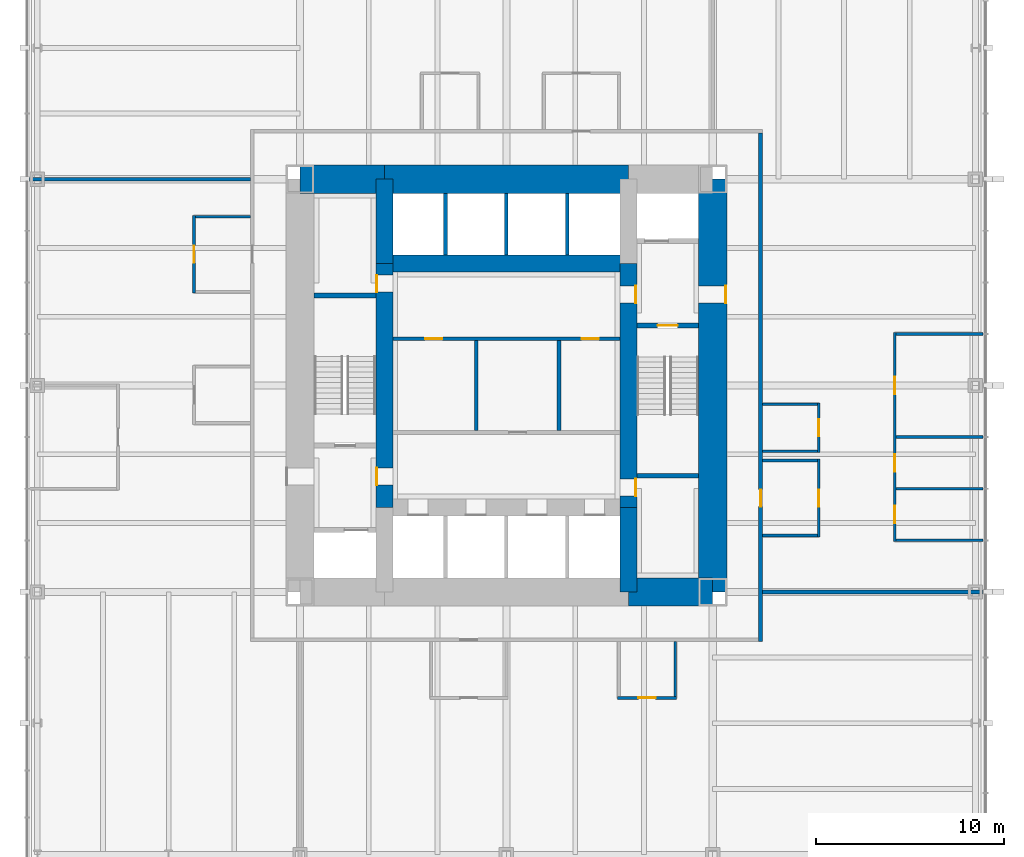
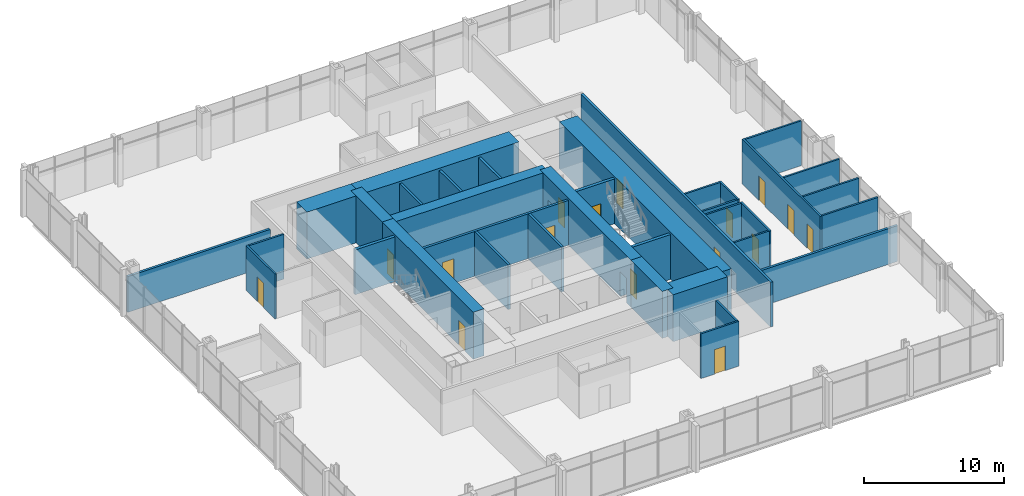
# One storey, part 10 of 12: 36 walls, 16 doors, 16 openings.
"""IFC4 building model written with IfcOpenShell, lengths in metres."""

from ifc_helpers import new_model, si_unit, direction, frame, frame_2d, origin, place, context, subcontext, project, spatial, rectangle, extrude, material, layer, layer_set, type_object, element, fill, save


model = new_model("IFC4")

# Units and contexts
model_context = context("Model", 3, precision=1e-05, world=origin(), true_north=direction((0.0, 1.0)))
body_context = subcontext(model_context, "Body", "Model", "MODEL_VIEW")
ifc_project = project(units=[si_unit("LENGTHUNIT", "METRE"), si_unit("AREAUNIT", "SQUARE_METRE"), si_unit("VOLUMEUNIT", "CUBIC_METRE"), si_unit("PLANEANGLEUNIT", "RADIAN"), si_unit("MASSUNIT", "GRAM", prefix="KILO")], contexts=[model_context])

# Site, building, storey
site_placement = place(None, origin())
site = spatial("IfcSite", under=ifc_project, at=site_placement, CompositionType="ELEMENT")
building_placement = place(site_placement, origin())
building = spatial("IfcBuilding", under=site, at=building_placement, Name="Trevanion Tower", CompositionType="ELEMENT")
storey_placement = place(building_placement, frame((0.0, 0.0, 20.10009765625)))
storey = spatial("IfcBuildingStorey", under=building, at=storey_placement, Name="L04", CompositionType="ELEMENT", Elevation=20.10009765625)

# Wall, opening, door
ifc_material_1 = material(Name="Concrete 10,000 psi", Category="concrete")
ifc_layer_1 = layer(ifc_material_1, 1.5)
ifc_layer_set_1 = layer_set([ifc_layer_1], Name="CW1 core wall 1500")
wall_type_1 = type_object("IfcWallType", Name="CW1 core wall 1500", PredefinedType="SHEAR", material=ifc_layer_set_1)
wall_1_placement = place(storey_placement, frame((11.0, -11.0, 0.0), z_axis=(0.0, 0.0, 1.0), x_axis=(0.0, 1.0, 0.0)))
wall_1 = element("IfcWall", 1, at=wall_1_placement, inside=storey, type_object=wall_type_1, Name="CW1 CE L04", PredefinedType="SHEAR", context=body_context, shape_type="SweptSolid", body=[
    extrude(rectangle(XDim=22.0, YDim=1.5, at=frame_2d((11.0, 0.0))), origin(), (0.0, 0.0, 1.0), 4.099853515625),
])
opening_1_placement = place(wall_1_placement, frame((15.392578125, 0.0, 0.0)))
opening_1 = element("IfcOpeningElement", 2, at=opening_1_placement, cuts=wall_1, Name="Opening 04-001", PredefinedType="OPENING", context=body_context, shape_type="SweptSolid", body=[
    extrude(rectangle(XDim=0.9150390625, YDim=2.134033203125, at=frame_2d((0.45751953125, 1.06689453125))), frame((0.0, 0.760009765625, 0.0), z_axis=(0.0, -1.0, 0.0), x_axis=(1.0, 0.0, 0.0)), (0.0, 0.0, 1.0), 1.52001953125),
])
ifc_material_2 = material(Name="Hollow metal, fire rated", Category="steel")
door_type_1 = type_object("IfcDoorType", Name="D3 fire lift lobby door", OperationType="SINGLE_SWING_RIGHT", PredefinedType="DOOR", material=ifc_material_2)
door_1_placement = place(opening_1_placement, origin())
door_1 = element("IfcDoor", 3, at=door_1_placement, inside=storey, type_object=door_type_1, Name="Door 04-001", OperationType="SINGLE_SWING_RIGHT", OverallHeight=2.134033203125, OverallWidth=0.9150390625, PredefinedType="DOOR", context=body_context, shape_type="SweptSolid", body=[
    extrude(rectangle(XDim=0.9150390625, YDim=2.134033203125, at=frame_2d((0.45751953125, 1.06689453125))), frame((0.0, -0.6748046875, 0.0), z_axis=(0.0, -1.0, 0.0), x_axis=(1.0, 0.0, 0.0)), (0.0, 0.0, 1.0), 0.050048828125),
])
fill(opening_1, door_1)

# Walls
wall_2_placement = place(storey_placement, frame((6.5, 11.0, 0.0), z_axis=(0.0, 0.0, 1.0), x_axis=(-1.0, 0.0, 0.0)))
element("IfcWall", 4, at=wall_2_placement, inside=storey, type_object=wall_type_1, Name="CW1 CN2 L04", PredefinedType="SHEAR", context=body_context, shape_type="SweptSolid", body=[
    extrude(rectangle(XDim=13.0, YDim=1.5, at=frame_2d((6.5, 0.0))), origin(), (0.0, 0.0, 1.0), 4.099853515625),
])
for number, where, z_axis, x_axis, name in (
    (5, (-6.5, 11.0, 0.0), (0.0, 0.0, 1.0), (-1.0, 0.0, 0.0), "CW1 CN3 L04"),
    (6, (6.5, -11.0, 0.0), (0.0, 0.0, 1.0), (1.0, 0.0, 0.0), "CW1 CS3 L04"),
):
    element("IfcWall", number, at=place(storey_placement, frame(where, z_axis=z_axis, x_axis=x_axis)), inside=storey, type_object=wall_type_1, Name=name, PredefinedType="SHEAR", context=body_context, shape_type="SweptSolid", body=[
        extrude(rectangle(XDim=4.5, YDim=1.5, at=frame_2d((2.25, 0.0))), origin(), (0.0, 0.0, 1.0), 4.099853515625),
    ])
ifc_material_3 = material(Name="Concrete 10,000 psi", Category="concrete")
ifc_layer_2 = layer(ifc_material_3, 0.89990234375)
ifc_layer_set_2 = layer_set([ifc_layer_2], Name="CW2 core wall 900")
wall_type_2 = type_object("IfcWallType", Name="CW2 core wall 900", PredefinedType="SHEAR", material=ifc_layer_set_2)
wall_3_placement = place(storey_placement, frame((6.5, -11.0, 0.0), z_axis=(0.0, 0.0, 1.0), x_axis=(0.0, 1.0, 0.0)))
element("IfcWall", 7, at=wall_3_placement, inside=storey, type_object=wall_type_2, Name="CW2 RE1 L04", PredefinedType="SHEAR", context=body_context, shape_type="SweptSolid", body=[
    extrude(rectangle(XDim=4.5, YDim=0.89990234375, at=frame_2d((2.25, 0.0))), origin(), (0.0, 0.0, 1.0), 4.099853515625),
])

# Wall, openings, doors
wall_4_placement = place(storey_placement, frame((6.5, -6.5, 0.0), z_axis=(0.0, 0.0, 1.0), x_axis=(0.0, 1.0, 0.0)))
wall_4 = element("IfcWall", 8, at=wall_4_placement, inside=storey, type_object=wall_type_2, Name="CW2 RE2 L04", PredefinedType="SHEAR", context=body_context, shape_type="SweptSolid", body=[
    extrude(rectangle(XDim=13.0, YDim=0.89990234375, at=frame_2d((6.5, 0.0))), origin(), (0.0, 0.0, 1.0), 4.099853515625),
])
opening_2_placement = place(wall_4_placement, frame((10.892578125, 0.0, 0.0)))
opening_2 = element("IfcOpeningElement", 9, at=opening_2_placement, cuts=wall_4, Name="Opening 04-003", PredefinedType="OPENING", context=body_context, shape_type="SweptSolid", body=[
    extrude(rectangle(XDim=0.9150390625, YDim=2.134033203125, at=frame_2d((0.45751953125, 1.06689453125))), frame((0.0, 0.4599609375, 0.0), z_axis=(0.0, -1.0, 0.0), x_axis=(1.0, 0.0, 0.0)), (0.0, 0.0, 1.0), 0.919921875),
])
opening_3_placement = place(wall_4_placement, frame((0.610107421875, 0.0, 0.0)))
opening_3 = element("IfcOpeningElement", 10, at=opening_3_placement, cuts=wall_4, Name="Opening 04-009", PredefinedType="OPENING", context=body_context, shape_type="SweptSolid", body=[
    extrude(rectangle(XDim=0.9150390625, YDim=2.134033203125, at=frame_2d((0.45751953125, 1.06689453125))), frame((0.0, 0.4599609375, 0.0), z_axis=(0.0, -1.0, 0.0), x_axis=(1.0, 0.0, 0.0)), (0.0, 0.0, 1.0), 0.919921875),
])
door_2_placement = place(opening_2_placement, origin())
door_2 = element("IfcDoor", 11, at=door_2_placement, inside=storey, type_object=door_type_1, Name="Door 04-003", OperationType="SINGLE_SWING_RIGHT", OverallHeight=2.134033203125, OverallWidth=0.9150390625, PredefinedType="DOOR", context=body_context, shape_type="SweptSolid", body=[
    extrude(rectangle(XDim=0.9150390625, YDim=2.134033203125, at=frame_2d((0.45751953125, 1.06689453125))), frame((0.0, -0.375, 0.0), z_axis=(0.0, -1.0, 0.0), x_axis=(1.0, 0.0, 0.0)), (0.0, 0.0, 1.0), 0.050048828125),
])
fill(opening_2, door_2)
ifc_material_4 = material(Name="Hollow metal, fire rated", Category="steel")
door_type_2 = type_object("IfcDoorType", Name="D5 service room door", OperationType="SINGLE_SWING_RIGHT", PredefinedType="DOOR", material=ifc_material_4)
door_3_placement = place(opening_3_placement, origin())
door_3 = element("IfcDoor", 12, at=door_3_placement, inside=storey, type_object=door_type_2, Name="Door 04-009", OperationType="SINGLE_SWING_RIGHT", OverallHeight=2.134033203125, OverallWidth=0.9150390625, PredefinedType="DOOR", context=body_context, shape_type="SweptSolid", body=[
    extrude(rectangle(XDim=0.9150390625, YDim=2.134033203125, at=frame_2d((0.45751953125, 1.06689453125))), frame((0.0, -0.375, 0.0), z_axis=(0.0, -1.0, 0.0), x_axis=(1.0, 0.0, 0.0)), (0.0, 0.0, 1.0), 0.050048828125),
])
fill(opening_3, door_3)

# Wall
wall_5_placement = place(storey_placement, frame((-6.5, 11.0, 0.0), z_axis=(0.0, 0.0, 1.0), x_axis=(0.0, -1.0, 0.0)))
element("IfcWall", 13, at=wall_5_placement, inside=storey, type_object=wall_type_2, Name="CW2 RW1 L04", PredefinedType="SHEAR", context=body_context, shape_type="SweptSolid", body=[
    extrude(rectangle(XDim=4.5, YDim=0.89990234375, at=frame_2d((2.25, 0.0))), origin(), (0.0, 0.0, 1.0), 4.099853515625),
])

# Wall, openings, doors
wall_6_placement = place(storey_placement, frame((-6.5, 6.5, 0.0), z_axis=(0.0, 0.0, 1.0), x_axis=(0.0, -1.0, 0.0)))
wall_6 = element("IfcWall", 14, at=wall_6_placement, inside=storey, type_object=wall_type_2, Name="CW2 RW2 L04", PredefinedType="SHEAR", context=body_context, shape_type="SweptSolid", body=[
    extrude(rectangle(XDim=13.0, YDim=0.89990234375, at=frame_2d((6.5, 0.0))), origin(), (0.0, 0.0, 1.0), 4.099853515625),
])
opening_4_placement = place(wall_6_placement, frame((10.892578125, 0.0, 0.0)))
opening_4 = element("IfcOpeningElement", 15, at=opening_4_placement, cuts=wall_6, Name="Opening 04-004", PredefinedType="OPENING", context=body_context, shape_type="SweptSolid", body=[
    extrude(rectangle(XDim=0.9150390625, YDim=2.134033203125, at=frame_2d((0.45751953125, 1.06689453125))), frame((0.0, 0.4599609375, 0.0), z_axis=(0.0, -1.0, 0.0), x_axis=(1.0, 0.0, 0.0)), (0.0, 0.0, 1.0), 0.919921875),
])
opening_5_placement = place(wall_6_placement, frame((0.610107421875, 0.0, 0.0)))
opening_5 = element("IfcOpeningElement", 16, at=opening_5_placement, cuts=wall_6, Name="Opening 04-010", PredefinedType="OPENING", context=body_context, shape_type="SweptSolid", body=[
    extrude(rectangle(XDim=0.9150390625, YDim=2.134033203125, at=frame_2d((0.45751953125, 1.06689453125))), frame((0.0, 0.4599609375, 0.0), z_axis=(0.0, -1.0, 0.0), x_axis=(1.0, 0.0, 0.0)), (0.0, 0.0, 1.0), 0.919921875),
])
door_4_placement = place(opening_4_placement, origin())
door_4 = element("IfcDoor", 17, at=door_4_placement, inside=storey, type_object=door_type_1, Name="Door 04-004", OperationType="SINGLE_SWING_RIGHT", OverallHeight=2.134033203125, OverallWidth=0.9150390625, PredefinedType="DOOR", context=body_context, shape_type="SweptSolid", body=[
    extrude(rectangle(XDim=0.9150390625, YDim=2.134033203125, at=frame_2d((0.45751953125, 1.06689453125))), frame((0.0, -0.375, 0.0), z_axis=(0.0, -1.0, 0.0), x_axis=(1.0, 0.0, 0.0)), (0.0, 0.0, 1.0), 0.050048828125),
])
fill(opening_4, door_4)
door_5_placement = place(opening_5_placement, origin())
door_5 = element("IfcDoor", 18, at=door_5_placement, inside=storey, type_object=door_type_2, Name="Door 04-010", OperationType="SINGLE_SWING_RIGHT", OverallHeight=2.134033203125, OverallWidth=0.9150390625, PredefinedType="DOOR", context=body_context, shape_type="SweptSolid", body=[
    extrude(rectangle(XDim=0.9150390625, YDim=2.134033203125, at=frame_2d((0.45751953125, 1.06689453125))), frame((0.0, -0.375, 0.0), z_axis=(0.0, -1.0, 0.0), x_axis=(1.0, 0.0, 0.0)), (0.0, 0.0, 1.0), 0.050048828125),
])
fill(opening_5, door_5)

# Wall
wall_7_placement = place(storey_placement, frame((6.5, 6.5, 0.0), z_axis=(0.0, 0.0, 1.0), x_axis=(-1.0, 0.0, 0.0)))
element("IfcWall", 19, at=wall_7_placement, inside=storey, type_object=wall_type_2, Name="CW2 RN L04", PredefinedType="SHEAR", context=body_context, shape_type="SweptSolid", body=[
    extrude(rectangle(XDim=13.0, YDim=0.89990234375, at=frame_2d((6.5, 0.0))), origin(), (0.0, 0.0, 1.0), 4.099853515625),
])

# Wall, openings, doors
ifc_material_5 = material(Name="Gypsum board on steel studs", Category="steel")
ifc_layer_3 = layer(ifc_material_5, 0.14990234375)
ifc_layer_set_3 = layer_set([ifc_layer_3], Name="PT1 partition 150")
wall_type_3 = type_object("IfcWallType", Name="PT1 partition 150", PredefinedType="PARTITIONING", material=ifc_layer_set_3)
wall_8_placement = place(storey_placement, frame((20.699951171875, -8.324951171875, 0.0), z_axis=(0.0, 0.0, 1.0), x_axis=(0.0, 1.0, 0.0)))
wall_8 = element("IfcWall", 20, at=wall_8_placement, inside=storey, type_object=wall_type_3, Name="PT1 L04 FC0F", PredefinedType="PARTITIONING", context=body_context, shape_type="SweptSolid", body=[
    extrude(rectangle(XDim=11.14990234375, YDim=0.14990234375, at=frame_2d((5.574951171875, 0.0))), origin(), (0.0, 0.0, 1.0), 3.909912109375),
])
opening_6_placement = place(wall_8_placement, frame((0.992431640625, 0.0, 0.0)))
opening_6 = element("IfcOpeningElement", 21, at=opening_6_placement, cuts=wall_8, Name="Opening 04-018", PredefinedType="OPENING", context=body_context, shape_type="SweptSolid", body=[
    extrude(rectangle(XDim=0.9150390625, YDim=2.134033203125, at=frame_2d((0.45751953125, 1.06689453125))), frame((0.0, 0.0849609375, 0.0), z_axis=(0.0, -1.0, 0.0), x_axis=(1.0, 0.0, 0.0)), (0.0, 0.0, 1.0), 0.169921875),
])
opening_7_placement = place(wall_8_placement, frame((3.742431640625, 0.0, 0.0)))
opening_7 = element("IfcOpeningElement", 22, at=opening_7_placement, cuts=wall_8, Name="Opening 04-019", PredefinedType="OPENING", context=body_context, shape_type="SweptSolid", body=[
    extrude(rectangle(XDim=0.9150390625, YDim=2.134033203125, at=frame_2d((0.45751953125, 1.06689453125))), frame((0.0, 0.0849609375, 0.0), z_axis=(0.0, -1.0, 0.0), x_axis=(1.0, 0.0, 0.0)), (0.0, 0.0, 1.0), 0.169921875),
])
opening_8_placement = place(wall_8_placement, frame((7.867431640625, 0.0, 0.0)))
opening_8 = element("IfcOpeningElement", 23, at=opening_8_placement, cuts=wall_8, Name="Opening 04-020", PredefinedType="OPENING", context=body_context, shape_type="SweptSolid", body=[
    extrude(rectangle(XDim=0.9150390625, YDim=2.134033203125, at=frame_2d((0.45751953125, 1.06689453125))), frame((0.0, 0.0849609375, 0.0), z_axis=(0.0, -1.0, 0.0), x_axis=(1.0, 0.0, 0.0)), (0.0, 0.0, 1.0), 0.169921875),
])
ifc_material_6 = material(Name="Timber veneer, solid core", Category="wood")
door_type_3 = type_object("IfcDoorType", Name="D1 office and meeting room door", OperationType="SINGLE_SWING_LEFT", PredefinedType="DOOR", material=ifc_material_6)
door_6_placement = place(opening_6_placement, origin())
door_6 = element("IfcDoor", 24, at=door_6_placement, inside=storey, type_object=door_type_3, Name="Door 04-018", OperationType="SINGLE_SWING_LEFT", OverallHeight=2.134033203125, OverallWidth=0.9150390625, PredefinedType="DOOR", context=body_context, shape_type="SweptSolid", body=[
    extrude(rectangle(XDim=0.9150390625, YDim=2.134033203125, at=frame_2d((0.45751953125, 1.06689453125))), frame((0.0, 0.02490234375, 0.0), z_axis=(0.0, -1.0, 0.0), x_axis=(1.0, 0.0, 0.0)), (0.0, 0.0, 1.0), 0.050048828125),
])
fill(opening_6, door_6)
door_7_placement = place(opening_7_placement, origin())
door_7 = element("IfcDoor", 25, at=door_7_placement, inside=storey, type_object=door_type_3, Name="Door 04-019", OperationType="SINGLE_SWING_LEFT", OverallHeight=2.134033203125, OverallWidth=0.9150390625, PredefinedType="DOOR", context=body_context, shape_type="SweptSolid", body=[
    extrude(rectangle(XDim=0.9150390625, YDim=2.134033203125, at=frame_2d((0.45751953125, 1.06689453125))), frame((0.0, 0.02490234375, 0.0), z_axis=(0.0, -1.0, 0.0), x_axis=(1.0, 0.0, 0.0)), (0.0, 0.0, 1.0), 0.050048828125),
])
fill(opening_7, door_7)
door_8_placement = place(opening_8_placement, origin())
door_8 = element("IfcDoor", 26, at=door_8_placement, inside=storey, type_object=door_type_3, Name="Door 04-020", OperationType="SINGLE_SWING_LEFT", OverallHeight=2.134033203125, OverallWidth=0.9150390625, PredefinedType="DOOR", context=body_context, shape_type="SweptSolid", body=[
    extrude(rectangle(XDim=0.9150390625, YDim=2.134033203125, at=frame_2d((0.45751953125, 1.06689453125))), frame((0.0, 0.02490234375, 0.0), z_axis=(0.0, -1.0, 0.0), x_axis=(1.0, 0.0, 0.0)), (0.0, 0.0, 1.0), 0.050048828125),
])
fill(opening_8, door_8)

# Walls
for number, where, z_axis, x_axis, name in (
    (27, (20.77490234375, -8.25, 0.0), (0.0, 0.0, 1.0), (1.0, 0.0, 0.0), "PT1 L04 FC0S0"),
    (28, (20.77490234375, -5.5, 0.0), (0.0, 0.0, 1.0), (1.0, 0.0, 0.0), "PT1 L04 FC0S1"),
    (29, (20.77490234375, -2.75, 0.0), (0.0, 0.0, 1.0), (1.0, 0.0, 0.0), "PT1 L04 FC0S2"),
    (30, (20.77490234375, 2.75, 0.0), (0.0, 0.0, 1.0), (1.0, 0.0, 0.0), "PT1 L04 FC0S4"),
):
    element("IfcWall", number, at=place(storey_placement, frame(where, z_axis=z_axis, x_axis=x_axis)), inside=storey, type_object=wall_type_3, Name=name, PredefinedType="PARTITIONING", context=body_context, shape_type="SweptSolid", body=[
        extrude(rectangle(XDim=4.64013671875, YDim=0.14990234375, at=frame_2d((2.320068359375, 0.0))), origin(), (0.0, 0.0, 1.0), 3.909912109375),
    ])

# Wall, opening, door
wall_9_placement = place(storey_placement, frame((16.64990234375, -8.074951171875, 0.0), z_axis=(0.0, 0.0, 1.0), x_axis=(0.0, 1.0, 0.0)))
wall_9 = element("IfcWall", 31, at=wall_9_placement, inside=storey, type_object=wall_type_3, Name="PT1 L04 IN00F", PredefinedType="PARTITIONING", context=body_context, shape_type="SweptSolid", body=[
    extrude(rectangle(XDim=4.14990234375, YDim=0.14990234375, at=frame_2d((2.074951171875, 0.0))), origin(), (0.0, 0.0, 1.0), 3.909912109375),
])
opening_9_placement = place(wall_9_placement, frame((1.617431640625, 0.0, 0.0)))
opening_9 = element("IfcOpeningElement", 32, at=opening_9_placement, cuts=wall_9, Name="Opening 04-024", PredefinedType="OPENING", context=body_context, shape_type="SweptSolid", body=[
    extrude(rectangle(XDim=0.9150390625, YDim=2.134033203125, at=frame_2d((0.45751953125, 1.06689453125))), frame((0.0, 0.0849609375, 0.0), z_axis=(0.0, -1.0, 0.0), x_axis=(1.0, 0.0, 0.0)), (0.0, 0.0, 1.0), 0.169921875),
])
door_9_placement = place(opening_9_placement, origin())
door_9 = element("IfcDoor", 33, at=door_9_placement, inside=storey, type_object=door_type_3, Name="Door 04-024", OperationType="SINGLE_SWING_LEFT", OverallHeight=2.134033203125, OverallWidth=0.9150390625, PredefinedType="DOOR", context=body_context, shape_type="SweptSolid", body=[
    extrude(rectangle(XDim=0.9150390625, YDim=2.134033203125, at=frame_2d((0.45751953125, 1.06689453125))), frame((0.0, 0.02490234375, 0.0), z_axis=(0.0, -1.0, 0.0), x_axis=(1.0, 0.0, 0.0)), (0.0, 0.0, 1.0), 0.050048828125),
])
fill(opening_9, door_9)

# Walls
for number, where, z_axis, x_axis, name in (
    (34, (16.574951171875, -8.0, 0.0), (0.0, 0.0, 1.0), (-1.0, 0.0, 0.0), "PT1 L04 IN00S0"),
    (35, (16.574951171875, -4.0, 0.0), (0.0, 0.0, 1.0), (-1.0, 0.0, 0.0), "PT1 L04 IN00S1"),
):
    element("IfcWall", number, at=place(storey_placement, frame(where, z_axis=z_axis, x_axis=x_axis)), inside=storey, type_object=wall_type_3, Name=name, PredefinedType="PARTITIONING", context=body_context, shape_type="SweptSolid", body=[
        extrude(rectangle(XDim=2.925048828125, YDim=0.14990234375, at=frame_2d((1.46240234375, 0.0))), origin(), (0.0, 0.0, 1.0), 3.909912109375),
    ])

# Wall, opening, door
wall_10_placement = place(storey_placement, frame((16.64990234375, -3.574951171875, 0.0), z_axis=(0.0, 0.0, 1.0), x_axis=(0.0, 1.0, 0.0)))
wall_10 = element("IfcWall", 36, at=wall_10_placement, inside=storey, type_object=wall_type_3, Name="PT1 L04 IN01F", PredefinedType="PARTITIONING", context=body_context, shape_type="SweptSolid", body=[
    extrude(rectangle(XDim=2.64990234375, YDim=0.14990234375, at=frame_2d((1.324951171875, 0.0))), origin(), (0.0, 0.0, 1.0), 3.909912109375),
])
opening_10_placement = place(wall_10_placement, frame((0.867431640625, 0.0, 0.0)))
opening_10 = element("IfcOpeningElement", 37, at=opening_10_placement, cuts=wall_10, Name="Opening 04-026", PredefinedType="OPENING", context=body_context, shape_type="SweptSolid", body=[
    extrude(rectangle(XDim=0.9150390625, YDim=2.134033203125, at=frame_2d((0.45751953125, 1.06689453125))), frame((0.0, 0.0849609375, 0.0), z_axis=(0.0, -1.0, 0.0), x_axis=(1.0, 0.0, 0.0)), (0.0, 0.0, 1.0), 0.169921875),
])
door_10_placement = place(opening_10_placement, origin())
door_10 = element("IfcDoor", 38, at=door_10_placement, inside=storey, type_object=door_type_3, Name="Door 04-026", OperationType="SINGLE_SWING_LEFT", OverallHeight=2.134033203125, OverallWidth=0.9150390625, PredefinedType="DOOR", context=body_context, shape_type="SweptSolid", body=[
    extrude(rectangle(XDim=0.9150390625, YDim=2.134033203125, at=frame_2d((0.45751953125, 1.06689453125))), frame((0.0, 0.02490234375, 0.0), z_axis=(0.0, -1.0, 0.0), x_axis=(1.0, 0.0, 0.0)), (0.0, 0.0, 1.0), 0.050048828125),
])
fill(opening_10, door_10)

# Walls
for number, where, z_axis, x_axis, name in (
    (39, (16.574951171875, -3.5, 0.0), (0.0, 0.0, 1.0), (-1.0, 0.0, 0.0), "PT1 L04 IN01S0"),
    (40, (16.574951171875, -1.0, 0.0), (0.0, 0.0, 1.0), (-1.0, 0.0, 0.0), "PT1 L04 IN01S1"),
):
    element("IfcWall", number, at=place(storey_placement, frame(where, z_axis=z_axis, x_axis=x_axis)), inside=storey, type_object=wall_type_3, Name=name, PredefinedType="PARTITIONING", context=body_context, shape_type="SweptSolid", body=[
        extrude(rectangle(XDim=2.925048828125, YDim=0.14990234375, at=frame_2d((1.46240234375, 0.0))), origin(), (0.0, 0.0, 1.0), 3.909912109375),
    ])

# Wall, opening, door
wall_11_placement = place(storey_placement, frame((-16.64990234375, 9.074951171875, 0.0), z_axis=(0.0, 0.0, 1.0), x_axis=(0.0, -1.0, 0.0)))
wall_11 = element("IfcWall", 41, at=wall_11_placement, inside=storey, type_object=wall_type_3, Name="PT1 L04 IN20F", PredefinedType="PARTITIONING", context=body_context, shape_type="SweptSolid", body=[
    extrude(rectangle(XDim=4.14990234375, YDim=0.14990234375, at=frame_2d((2.074951171875, 0.0))), origin(), (0.0, 0.0, 1.0), 3.909912109375),
])
opening_11_placement = place(wall_11_placement, frame((1.617431640625, 0.0, 0.0)))
opening_11 = element("IfcOpeningElement", 42, at=opening_11_placement, cuts=wall_11, Name="Opening 04-030", PredefinedType="OPENING", context=body_context, shape_type="SweptSolid", body=[
    extrude(rectangle(XDim=0.9150390625, YDim=2.134033203125, at=frame_2d((0.45751953125, 1.06689453125))), frame((0.0, 0.0849609375, 0.0), z_axis=(0.0, -1.0, 0.0), x_axis=(1.0, 0.0, 0.0)), (0.0, 0.0, 1.0), 0.169921875),
])
door_11_placement = place(opening_11_placement, origin())
door_11 = element("IfcDoor", 43, at=door_11_placement, inside=storey, type_object=door_type_3, Name="Door 04-030", OperationType="SINGLE_SWING_LEFT", OverallHeight=2.134033203125, OverallWidth=0.9150390625, PredefinedType="DOOR", context=body_context, shape_type="SweptSolid", body=[
    extrude(rectangle(XDim=0.9150390625, YDim=2.134033203125, at=frame_2d((0.45751953125, 1.06689453125))), frame((0.0, 0.02490234375, 0.0), z_axis=(0.0, -1.0, 0.0), x_axis=(1.0, 0.0, 0.0)), (0.0, 0.0, 1.0), 0.050048828125),
])
fill(opening_11, door_11)

# Wall
wall_12_placement = place(storey_placement, frame((-16.574951171875, 9.0, 0.0), z_axis=(0.0, 0.0, 1.0), x_axis=(1.0, 0.0, 0.0)))
element("IfcWall", 44, at=wall_12_placement, inside=storey, type_object=wall_type_3, Name="PT1 L04 IN20S0", PredefinedType="PARTITIONING", context=body_context, shape_type="SweptSolid", body=[
    extrude(rectangle(XDim=2.925048828125, YDim=0.14990234375, at=frame_2d((1.46240234375, 0.0))), origin(), (0.0, 0.0, 1.0), 3.909912109375),
])

# Wall, opening, door
wall_13_placement = place(storey_placement, frame((5.925048828125, -16.64990234375, 0.0), z_axis=(0.0, 0.0, 1.0), x_axis=(1.0, 0.0, 0.0)))
wall_13 = element("IfcWall", 45, at=wall_13_placement, inside=storey, type_object=wall_type_3, Name="PT1 L04 IN31F", PredefinedType="PARTITIONING", context=body_context, shape_type="SweptSolid", body=[
    extrude(rectangle(XDim=3.14990234375, YDim=0.14990234375, at=frame_2d((1.574951171875, 0.0))), origin(), (0.0, 0.0, 1.0), 3.909912109375),
])
opening_12_placement = place(wall_13_placement, frame((1.117431640625, 0.0, 0.0)))
opening_12 = element("IfcOpeningElement", 46, at=opening_12_placement, cuts=wall_13, Name="Opening 04-035", PredefinedType="OPENING", context=body_context, shape_type="SweptSolid", body=[
    extrude(rectangle(XDim=0.9150390625, YDim=2.134033203125, at=frame_2d((0.45751953125, 1.06689453125))), frame((0.0, 0.0849609375, 0.0), z_axis=(0.0, -1.0, 0.0), x_axis=(1.0, 0.0, 0.0)), (0.0, 0.0, 1.0), 0.169921875),
])
door_12_placement = place(opening_12_placement, origin())
door_12 = element("IfcDoor", 47, at=door_12_placement, inside=storey, type_object=door_type_3, Name="Door 04-035", OperationType="SINGLE_SWING_LEFT", OverallHeight=2.134033203125, OverallWidth=0.9150390625, PredefinedType="DOOR", context=body_context, shape_type="SweptSolid", body=[
    extrude(rectangle(XDim=0.9150390625, YDim=2.134033203125, at=frame_2d((0.45751953125, 1.06689453125))), frame((0.0, 0.02490234375, 0.0), z_axis=(0.0, -1.0, 0.0), x_axis=(1.0, 0.0, 0.0)), (0.0, 0.0, 1.0), 0.050048828125),
])
fill(opening_12, door_12)

# Walls
wall_14_placement = place(storey_placement, frame((9.0, -16.574951171875, 0.0), z_axis=(0.0, 0.0, 1.0), x_axis=(0.0, 1.0, 0.0)))
element("IfcWall", 48, at=wall_14_placement, inside=storey, type_object=wall_type_3, Name="PT1 L04 IN31S1", PredefinedType="PARTITIONING", context=body_context, shape_type="SweptSolid", body=[
    extrude(rectangle(XDim=2.925048828125, YDim=0.14990234375, at=frame_2d((1.46240234375, 0.0))), origin(), (0.0, 0.0, 1.0), 3.909912109375),
])
ifc_material_7 = material(Name="Concrete masonry, grouted", Category="masonry")
ifc_layer_4 = layer(ifc_material_7, 0.199951171875)
ifc_layer_set_4 = layer_set([ifc_layer_4], Name="PT2 partition 200")
wall_type_4 = type_object("IfcWallType", Name="PT2 partition 200", PredefinedType="PARTITIONING", material=ifc_layer_set_4)
for number, where, z_axis, x_axis, name in (
    (49, (-1.60009765625, -2.39990234375, 0.0), (0.0, 0.0, 1.0), (0.0, 1.0, 0.0), "PT2 L04 TP1"),
    (50, (2.800048828125, -2.39990234375, 0.0), (0.0, 0.0, 1.0), (0.0, 1.0, 0.0), "PT2 L04 TP2"),
):
    element("IfcWall", number, at=place(storey_placement, frame(where, z_axis=z_axis, x_axis=x_axis)), inside=storey, type_object=wall_type_4, Name=name, PredefinedType="PARTITIONING", context=body_context, shape_type="SweptSolid", body=[
        extrude(rectangle(XDim=4.7998046875, YDim=0.199951171875, at=frame_2d((2.39990234375, 0.0))), origin(), (0.0, 0.0, 1.0), 3.909912109375),
    ])

# Wall, openings, doors
ifc_material_8 = material(Name="Concrete masonry, grouted", Category="masonry")
ifc_layer_5 = layer(ifc_material_8, 0.199951171875)
ifc_layer_set_5 = layer_set([ifc_layer_5], Name="PT2 partition 200 1 HR")
wall_type_5 = type_object("IfcWallType", Name="PT2 partition 200 1 HR", PredefinedType="PARTITIONING", material=ifc_layer_set_5)
wall_15_placement = place(storey_placement, frame((-6.050048828125, 2.5, 0.0), z_axis=(0.0, 0.0, 1.0), x_axis=(1.0, 0.0, 0.0)))
wall_15 = element("IfcWall", 51, at=wall_15_placement, inside=storey, type_object=wall_type_5, Name="PT2 L04 CP1", PredefinedType="PARTITIONING", context=body_context, shape_type="SweptSolid", body=[
    extrude(rectangle(XDim=12.10009765625, YDim=0.199951171875, at=frame_2d((6.050048828125, 0.0))), origin(), (0.0, 0.0, 1.0), 3.909912109375),
])
opening_13_placement = place(wall_15_placement, frame((1.717529296875, 0.0, 0.0)))
opening_13 = element("IfcOpeningElement", 52, at=opening_13_placement, cuts=wall_15, Name="Opening 04-015", PredefinedType="OPENING", context=body_context, shape_type="SweptSolid", body=[
    extrude(rectangle(XDim=0.9150390625, YDim=2.134033203125, at=frame_2d((0.45751953125, 1.06689453125))), frame((0.0, 0.10986328125, 0.0), z_axis=(0.0, -1.0, 0.0), x_axis=(1.0, 0.0, 0.0)), (0.0, 0.0, 1.0), 0.219970703125),
])
opening_14_placement = place(wall_15_placement, frame((10.0673828125, 0.0, 0.0)))
opening_14 = element("IfcOpeningElement", 53, at=opening_14_placement, cuts=wall_15, Name="Opening 04-017", PredefinedType="OPENING", context=body_context, shape_type="SweptSolid", body=[
    extrude(rectangle(XDim=0.9150390625, YDim=2.134033203125, at=frame_2d((0.45751953125, 1.06689453125))), frame((0.0, 0.10986328125, 0.0), z_axis=(0.0, -1.0, 0.0), x_axis=(1.0, 0.0, 0.0)), (0.0, 0.0, 1.0), 0.219970703125),
])
ifc_material_9 = material(Name="Plastic laminate on fire-rated core", Category="wood")
door_type_4 = type_object("IfcDoorType", Name="D12 toilet door in a one hour wall", OperationType="SINGLE_SWING_LEFT", PredefinedType="DOOR", material=ifc_material_9)
door_13_placement = place(opening_13_placement, origin())
door_13 = element("IfcDoor", 54, at=door_13_placement, inside=storey, type_object=door_type_4, Name="Door 04-015", OperationType="SINGLE_SWING_LEFT", OverallHeight=2.134033203125, OverallWidth=0.9150390625, PredefinedType="DOOR", context=body_context, shape_type="SweptSolid", body=[
    extrude(rectangle(XDim=0.9150390625, YDim=2.134033203125, at=frame_2d((0.45751953125, 1.06689453125))), frame((0.0, 0.02490234375, 0.0), z_axis=(0.0, -1.0, 0.0), x_axis=(1.0, 0.0, 0.0)), (0.0, 0.0, 1.0), 0.050048828125),
])
fill(opening_13, door_13)
door_14_placement = place(opening_14_placement, origin())
door_14 = element("IfcDoor", 55, at=door_14_placement, inside=storey, type_object=door_type_4, Name="Door 04-017", OperationType="SINGLE_SWING_LEFT", OverallHeight=2.134033203125, OverallWidth=0.9150390625, PredefinedType="DOOR", context=body_context, shape_type="SweptSolid", body=[
    extrude(rectangle(XDim=0.9150390625, YDim=2.134033203125, at=frame_2d((0.45751953125, 1.06689453125))), frame((0.0, 0.02490234375, 0.0), z_axis=(0.0, -1.0, 0.0), x_axis=(1.0, 0.0, 0.0)), (0.0, 0.0, 1.0), 0.050048828125),
])
fill(opening_14, door_14)

# Wall, opening, door
wall_16_placement = place(storey_placement, frame((13.550048828125, -13.64990234375, 0.0), z_axis=(0.0, 0.0, 1.0), x_axis=(0.0, 1.0, 0.0)))
wall_16 = element("IfcWall", 56, at=wall_16_placement, inside=storey, type_object=wall_type_5, Name="PT2 L04 OC0", PredefinedType="PARTITIONING", context=body_context, shape_type="SweptSolid", body=[
    extrude(rectangle(XDim=27.099853515625, YDim=0.199951171875, at=frame_2d((13.5498046875, 0.0))), origin(), (0.0, 0.0, 1.0), 3.909912109375),
])
opening_15_placement = place(wall_16_placement, frame((7.1923828125, 0.0, 0.0)))
opening_15 = element("IfcOpeningElement", 57, at=opening_15_placement, cuts=wall_16, Name="Opening 04-025", PredefinedType="OPENING", context=body_context, shape_type="SweptSolid", body=[
    extrude(rectangle(XDim=0.9150390625, YDim=2.134033203125, at=frame_2d((0.45751953125, 1.06689453125))), frame((0.0, 0.10986328125, 0.0), z_axis=(0.0, -1.0, 0.0), x_axis=(1.0, 0.0, 0.0)), (0.0, 0.0, 1.0), 0.219970703125),
])
ifc_material_10 = material(Name="Timber veneer, fire rated", Category="wood")
door_type_5 = type_object("IfcDoorType", Name="D10 office door in a one hour wall", OperationType="SINGLE_SWING_LEFT", PredefinedType="DOOR", material=ifc_material_10)
door_15_placement = place(opening_15_placement, origin())
door_15 = element("IfcDoor", 58, at=door_15_placement, inside=storey, type_object=door_type_5, Name="Door 04-025", OperationType="SINGLE_SWING_LEFT", OverallHeight=2.134033203125, OverallWidth=0.9150390625, PredefinedType="DOOR", context=body_context, shape_type="SweptSolid", body=[
    extrude(rectangle(XDim=0.9150390625, YDim=2.134033203125, at=frame_2d((0.45751953125, 1.06689453125))), frame((0.0, 0.02490234375, 0.0), z_axis=(0.0, -1.0, 0.0), x_axis=(1.0, 0.0, 0.0)), (0.0, 0.0, 1.0), 0.050048828125),
])
fill(opening_15, door_15)

# Walls
for number, where, z_axis, x_axis, name in (
    (59, (-13.64990234375, 11.0, 0.0), (0.0, 0.0, 1.0), (-1.0, 0.0, 0.0), "PT2 L04 DM1"),
    (60, (13.64990234375, -11.0, 0.0), (0.0, 0.0, 1.0), (1.0, 0.0, 0.0), "PT2 L04 DM3"),
):
    element("IfcWall", number, at=place(storey_placement, frame(where, z_axis=z_axis, x_axis=x_axis)), inside=storey, type_object=wall_type_5, Name=name, PredefinedType="PARTITIONING", context=body_context, shape_type="SweptSolid", body=[
        extrude(rectangle(XDim=11.76513671875, YDim=0.199951171875, at=frame_2d((5.882568359375, 0.0))), origin(), (0.0, 0.0, 1.0), 3.130126953125),
    ])
ifc_material_11 = material(Name="Concrete masonry, grouted", Category="masonry")
ifc_layer_6 = layer(ifc_material_11, 0.199951171875)
ifc_layer_set_6 = layer_set([ifc_layer_6], Name="PT2 partition 200 2 HR")
wall_type_6 = type_object("IfcWallType", Name="PT2 partition 200 2 HR", PredefinedType="PARTITIONING", material=ifc_layer_set_6)
for number, where, z_axis, x_axis, name in (
    (61, (-3.25, 6.949951171875, 0.0), (0.0, 0.0, 1.0), (0.0, 1.0, 0.0), "PT2 L04 NS0"),
    (62, (0.0, 6.949951171875, 0.0), (0.0, 0.0, 1.0), (0.0, 1.0, 0.0), "PT2 L04 NS1"),
    (63, (3.25, 6.949951171875, 0.0), (0.0, 0.0, 1.0), (0.0, 1.0, 0.0), "PT2 L04 NS2"),
):
    element("IfcWall", number, at=place(storey_placement, frame(where, z_axis=z_axis, x_axis=x_axis)), inside=storey, type_object=wall_type_6, Name=name, PredefinedType="PARTITIONING", context=body_context, shape_type="SweptSolid", body=[
        extrude(rectangle(XDim=3.300048828125, YDim=0.199951171875, at=frame_2d((1.64990234375, 0.0))), origin(), (0.0, 0.0, 1.0), 3.909912109375),
    ])
ifc_material_12 = material(Name="Reinforced masonry, fully grouted", Category="masonry")
ifc_layer_7 = layer(ifc_material_12, 0.25)
ifc_layer_set_7 = layer_set([ifc_layer_7], Name="SW1 stair shaft wall 250")
wall_type_7 = type_object("IfcWallType", Name="SW1 stair shaft wall 250", PredefinedType="SOLIDWALL", material=ifc_layer_set_7)
for number, where, z_axis, x_axis, name in (
    (64, (6.949951171875, -4.800048828125, 0.0), (0.0, 0.0, 1.0), (1.0, 0.0, 0.0), "SW1 L04 EP1"),
    (65, (-6.949951171875, 4.800048828125, 0.0), (0.0, 0.0, 1.0), (-1.0, 0.0, 0.0), "SW1 L04 WP1"),
):
    element("IfcWall", number, at=place(storey_placement, frame(where, z_axis=z_axis, x_axis=x_axis)), inside=storey, type_object=wall_type_7, Name=name, PredefinedType="SOLIDWALL", context=body_context, shape_type="SweptSolid", body=[
        extrude(rectangle(XDim=3.300048828125, YDim=0.25, at=frame_2d((1.64990234375, 0.0))), origin(), (0.0, 0.0, 1.0), 3.909912109375),
    ])

# Wall, opening, door
wall_17_placement = place(storey_placement, frame((6.949951171875, 3.199951171875, 0.0), z_axis=(0.0, 0.0, 1.0), x_axis=(1.0, 0.0, 0.0)))
wall_17 = element("IfcWall", 66, at=wall_17_placement, inside=storey, type_object=wall_type_7, Name="SW1 L04 EP2", PredefinedType="SOLIDWALL", context=body_context, shape_type="SweptSolid", body=[
    extrude(rectangle(XDim=3.300048828125, YDim=0.25, at=frame_2d((1.64990234375, 0.0))), origin(), (0.0, 0.0, 1.0), 3.909912109375),
])
opening_16_placement = place(wall_17_placement, frame((1.116455078125, 0.0, 0.0)))
opening_16 = element("IfcOpeningElement", 67, at=opening_16_placement, cuts=wall_17, Name="Opening 04-005", PredefinedType="OPENING", context=body_context, shape_type="SweptSolid", body=[
    extrude(rectangle(XDim=1.06689453125, YDim=2.134033203125, at=frame_2d((0.533447265625, 1.06689453125))), frame((0.0, 0.135009765625, 0.0), z_axis=(0.0, -1.0, 0.0), x_axis=(1.0, 0.0, 0.0)), (0.0, 0.0, 1.0), 0.27001953125),
])
ifc_material_13 = material(Name="Hollow metal, fire rated", Category="steel")
door_type_6 = type_object("IfcDoorType", Name="D2 exit stair door", OperationType="SINGLE_SWING_LEFT", PredefinedType="DOOR", material=ifc_material_13)
door_16_placement = place(opening_16_placement, origin())
door_16 = element("IfcDoor", 68, at=door_16_placement, inside=storey, type_object=door_type_6, Name="Door 04-005", OperationType="SINGLE_SWING_LEFT", OverallHeight=2.134033203125, OverallWidth=1.06689453125, PredefinedType="DOOR", context=body_context, shape_type="SweptSolid", body=[
    extrude(rectangle(XDim=1.06689453125, YDim=2.134033203125, at=frame_2d((0.533447265625, 1.06689453125))), frame((0.0, 0.02490234375, 0.0), z_axis=(0.0, -1.0, 0.0), x_axis=(1.0, 0.0, 0.0)), (0.0, 0.0, 1.0), 0.050048828125),
])
fill(opening_16, door_16)

save(model, "model.ifc")
